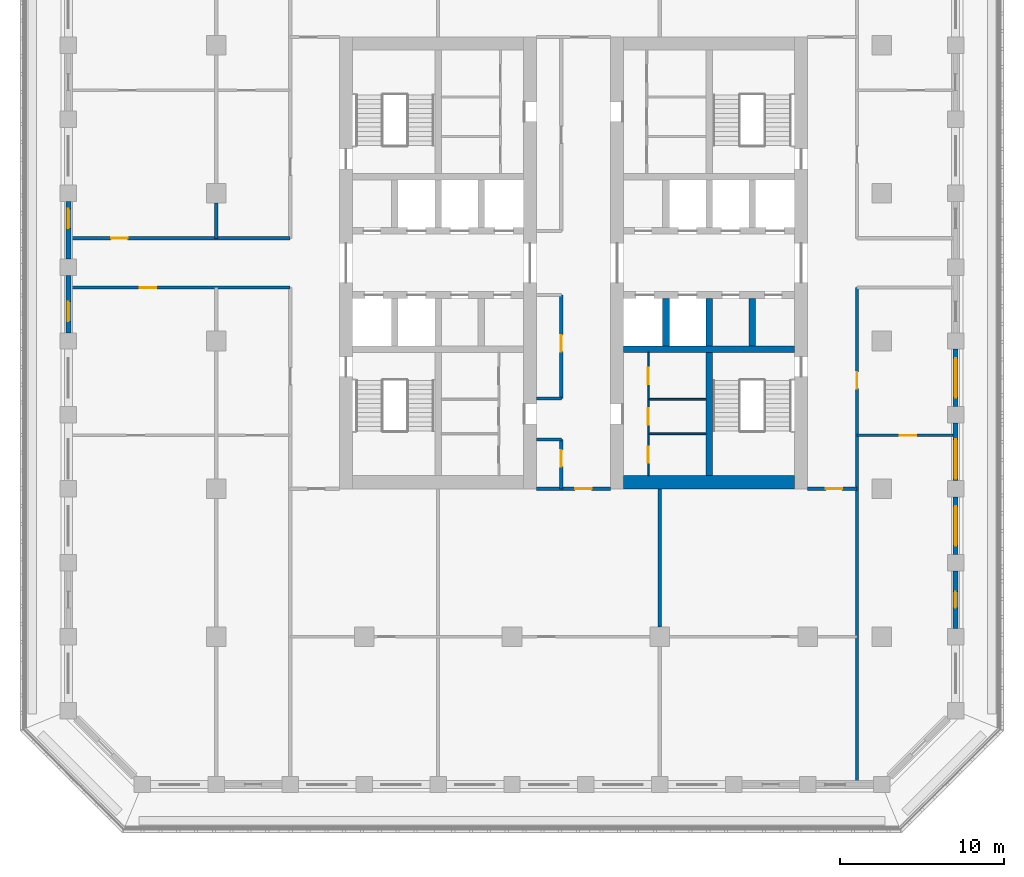
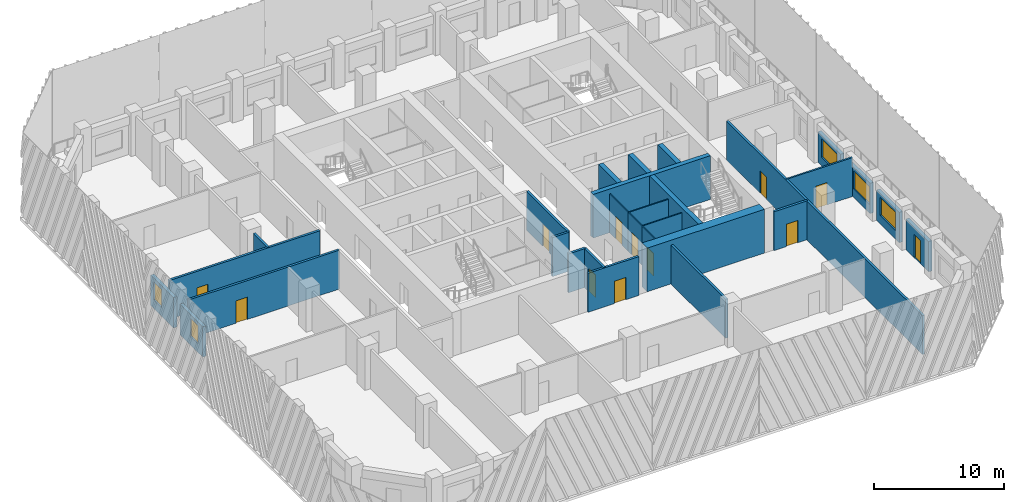
# One storey, part 4 of 16: 29 walls, 12 doors, 5 windows, 17 openings.
"""IFC4 building model written with IfcOpenShell, lengths in metres."""

from ifc_helpers import new_model, si_unit, direction, frame, frame_2d, origin, place, context, subcontext, project, spatial, rectangle, extrude, material, layer, layer_set, type_object, element, fill, save


model = new_model("IFC4")

# Units and contexts
model_context = context("Model", 3, precision=1e-05, world=origin(), true_north=direction((0.0, 1.0)))
body_context = subcontext(model_context, "Body", "Model", "MODEL_VIEW")
ifc_project = project(units=[si_unit("LENGTHUNIT", "METRE"), si_unit("AREAUNIT", "SQUARE_METRE"), si_unit("VOLUMEUNIT", "CUBIC_METRE"), si_unit("PLANEANGLEUNIT", "RADIAN"), si_unit("MASSUNIT", "GRAM", prefix="KILO")], contexts=[model_context])

# Site, building, storey
site_placement = place(None, origin())
site = spatial("IfcSite", under=ifc_project, at=site_placement, CompositionType="ELEMENT")
building_placement = place(site_placement, origin())
building = spatial("IfcBuilding", under=site, at=building_placement, Name="Corbel Stack Research Tower", CompositionType="ELEMENT")
storey_placement = place(building_placement, frame((0.0, 0.0, 165.0)))
storey = spatial("IfcBuildingStorey", under=building, at=storey_placement, Name="L37", CompositionType="ELEMENT", Elevation=165.0)

# Walls
ifc_material_1 = material(Name="Concrete C60/75", Category="concrete")
ifc_layer_1 = layer(ifc_material_1, 0.39990234375)
ifc_layer_set_1 = layer_set([ifc_layer_1], Name="Concrete C60/75")
wall_type_1 = type_object("IfcWallType", Name="CW-400-60", PredefinedType="SHEAR", material=ifc_layer_set_1)
wall_1_placement = place(storey_placement, frame((6.800048828125, -0.5, 0.0), z_axis=(0.0, 0.0, 1.0), x_axis=(1.0, 0.0, 0.0)))
element("IfcWall", 1, at=wall_1_placement, inside=storey, type_object=wall_type_1, Name="East core wall, south row back L37", PredefinedType="SHEAR", context=body_context, shape_type="SweptSolid", body=[
    extrude(rectangle(XDim=10.39990234375, YDim=0.39990234375, at=frame_2d((5.199951171875, 0.0))), origin(), (0.0, 0.0, 1.0), 4.10009765625),
])
for number, where, z_axis, x_axis, name in (
    (2, (9.375, -0.300048828125, 0.0), (0.0, 0.0, 1.0), (0.0, 1.0, 0.0), "East core wall, south shaft 1 L37"),
    (3, (12.0, -0.300048828125, 0.0), (0.0, 0.0, 1.0), (0.0, 1.0, 0.0), "East core wall, south shaft 2 L37"),
    (4, (14.625, -0.300048828125, 0.0), (0.0, 0.0, 1.0), (0.0, 1.0, 0.0), "East core wall, south shaft 3 L37"),
):
    element("IfcWall", number, at=place(storey_placement, frame(where, z_axis=z_axis, x_axis=x_axis)), inside=storey, type_object=wall_type_1, Name=name, PredefinedType="SHEAR", context=body_context, shape_type="SweptSolid", body=[
        extrude(rectangle(XDim=2.900146484375, YDim=0.39990234375, at=frame_2d((1.4501953125, 0.0))), origin(), (0.0, 0.0, 1.0), 4.10009765625),
    ])
wall_2_placement = place(storey_placement, frame((12.0, -8.199951171875, 0.0), z_axis=(0.0, 0.0, 1.0), x_axis=(0.0, 1.0, 0.0)))
element("IfcWall", 5, at=wall_2_placement, inside=storey, type_object=wall_type_1, Name="East core wall, south stair and WC L37", PredefinedType="SHEAR", context=body_context, shape_type="SweptSolid", body=[
    extrude(rectangle(XDim=7.5, YDim=0.39990234375, at=frame_2d((3.75, 0.0))), origin(), (0.0, 0.0, 1.0), 4.10009765625),
])
ifc_material_2 = material(Name="Concrete C60/75", Category="concrete")
ifc_layer_2 = layer(ifc_material_2, 0.800048828125)
ifc_layer_set_2 = layer_set([ifc_layer_2], Name="Concrete C60/75")
wall_type_2 = type_object("IfcWallType", Name="CW-800-60", PredefinedType="SHEAR", material=ifc_layer_set_2)
wall_3_placement = place(storey_placement, frame((6.800048828125, -8.60009765625, 0.0), z_axis=(0.0, 0.0, 1.0), x_axis=(1.0, 0.0, 0.0)))
element("IfcWall", 6, at=wall_3_placement, inside=storey, type_object=wall_type_2, Name="East core wall, south end L37", PredefinedType="SHEAR", context=body_context, shape_type="SweptSolid", body=[
    extrude(rectangle(XDim=10.39990234375, YDim=0.800048828125, at=frame_2d((5.199951171875, 0.0))), origin(), (0.0, 0.0, 1.0), 4.10009765625),
])

# Wall, opening, door
ifc_material_3 = material(Name="Gypsum board")
ifc_layer_3 = layer(ifc_material_3, 0.10009765625)
ifc_layer_set_3 = layer_set([ifc_layer_3], Name="Gypsum board")
wall_type_3 = type_object("IfcWallType", Name="Core partition 100", PredefinedType="PARTITIONING", material=ifc_layer_set_3)
wall_4_placement = place(storey_placement, frame((8.300048828125, -8.199951171875, 0.0), z_axis=(0.0, 0.0, 1.0), x_axis=(0.0, 1.0, 0.0)))
wall_4 = element("IfcWall", 7, at=wall_4_placement, inside=storey, type_object=wall_type_3, Name="Core partition E", PredefinedType="PARTITIONING", context=body_context, shape_type="SweptSolid", body=[
    extrude(rectangle(XDim=2.550048828125, YDim=0.10009765625, at=frame_2d((1.27490234375, 0.0))), origin(), (0.0, 0.0, 1.0), 3.64990234375),
])
opening_1_placement = place(wall_4_placement, frame((0.77490234375, 0.0, 0.0)))
opening_1 = element("IfcOpeningElement", 8, at=opening_1_placement, cuts=wall_4, Name="Opening CR-E12-W2-1000", PredefinedType="OPENING", context=body_context, shape_type="SweptSolid", body=[
    extrude(rectangle(XDim=1.0, YDim=2.10009765625, at=frame_2d((0.5, 1.050048828125))), frame((0.0, 0.06005859375, 0.0), z_axis=(0.0, -1.0, 0.0), x_axis=(1.0, 0.0, 0.0)), (0.0, 0.0, 1.0), 0.1201171875),
])
ifc_material_4 = material(Name="Painted timber door", Category="wood")
door_type_1 = type_object("IfcDoorType", Name="WC door 1000 x 2100 left hand", OperationType="SINGLE_SWING_LEFT", PredefinedType="DOOR", material=ifc_material_4)
door_1_placement = place(opening_1_placement, origin())
door_1 = element("IfcDoor", 9, at=door_1_placement, inside=storey, type_object=door_type_1, Name="Men's WC door E core", OperationType="SINGLE_SWING_LEFT", OverallHeight=2.10009765625, OverallWidth=1.0, PredefinedType="DOOR", context=body_context, shape_type="SweptSolid", body=[
    extrude(rectangle(XDim=1.0, YDim=2.10009765625, at=frame_2d((0.5, 1.050048828125))), frame((0.0, 0.02490234375, 0.0), z_axis=(0.0, -1.0, 0.0), x_axis=(1.0, 0.0, 0.0)), (0.0, 0.0, 1.0), 0.050048828125),
])
fill(opening_1, door_1)

wall_5_placement = place(storey_placement, frame((8.300048828125, -5.64990234375, 0.0), z_axis=(0.0, 0.0, 1.0), x_axis=(0.0, 1.0, 0.0)))
wall_5 = element("IfcWall", 10, at=wall_5_placement, inside=storey, type_object=wall_type_3, Name="Core partition E", PredefinedType="PARTITIONING", context=body_context, shape_type="SweptSolid", body=[
    extrude(rectangle(XDim=2.099853515625, YDim=0.10009765625, at=frame_2d((1.0498046875, 0.0))), origin(), (0.0, 0.0, 1.0), 3.64990234375),
])
opening_2_placement = place(wall_5_placement, frame((0.550048828125, 0.0, 0.0)))
opening_2 = element("IfcOpeningElement", 11, at=opening_2_placement, cuts=wall_5, Name="Opening CR-E12-W3-1000", PredefinedType="OPENING", context=body_context, shape_type="SweptSolid", body=[
    extrude(rectangle(XDim=1.0, YDim=2.10009765625, at=frame_2d((0.5, 1.050048828125))), frame((0.0, 0.06005859375, 0.0), z_axis=(0.0, -1.0, 0.0), x_axis=(1.0, 0.0, 0.0)), (0.0, 0.0, 1.0), 0.1201171875),
])
ifc_material_5 = material(Name="Painted timber door", Category="wood")
door_type_2 = type_object("IfcDoorType", Name="WC door 1000 x 2100 right hand", OperationType="SINGLE_SWING_RIGHT", PredefinedType="DOOR", material=ifc_material_5)
door_2_placement = place(opening_2_placement, origin())
door_2 = element("IfcDoor", 12, at=door_2_placement, inside=storey, type_object=door_type_2, Name="Accessible WC door E core", OperationType="SINGLE_SWING_RIGHT", OverallHeight=2.10009765625, OverallWidth=1.0, PredefinedType="DOOR", context=body_context, shape_type="SweptSolid", body=[
    extrude(rectangle(XDim=1.0, YDim=2.10009765625, at=frame_2d((0.5, 1.050048828125))), frame((0.0, 0.02490234375, 0.0), z_axis=(0.0, -1.0, 0.0), x_axis=(1.0, 0.0, 0.0)), (0.0, 0.0, 1.0), 0.050048828125),
])
fill(opening_2, door_2)

wall_6_placement = place(storey_placement, frame((8.300048828125, -3.550048828125, 0.0), z_axis=(0.0, 0.0, 1.0), x_axis=(0.0, 1.0, 0.0)))
wall_6 = element("IfcWall", 13, at=wall_6_placement, inside=storey, type_object=wall_type_3, Name="Core partition E", PredefinedType="PARTITIONING", context=body_context, shape_type="SweptSolid", body=[
    extrude(rectangle(XDim=2.85009765625, YDim=0.10009765625, at=frame_2d((1.425048828125, 0.0))), origin(), (0.0, 0.0, 1.0), 3.64990234375),
])
opening_3_placement = place(wall_6_placement, frame((0.925048828125, 0.0, 0.0)))
opening_3 = element("IfcOpeningElement", 14, at=opening_3_placement, cuts=wall_6, Name="Opening CR-E12-W4-1000", PredefinedType="OPENING", context=body_context, shape_type="SweptSolid", body=[
    extrude(rectangle(XDim=1.0, YDim=2.10009765625, at=frame_2d((0.5, 1.050048828125))), frame((0.0, 0.06005859375, 0.0), z_axis=(0.0, -1.0, 0.0), x_axis=(1.0, 0.0, 0.0)), (0.0, 0.0, 1.0), 0.1201171875),
])
door_3_placement = place(opening_3_placement, origin())
door_3 = element("IfcDoor", 15, at=door_3_placement, inside=storey, type_object=door_type_1, Name="Women's WC door E core", OperationType="SINGLE_SWING_LEFT", OverallHeight=2.10009765625, OverallWidth=1.0, PredefinedType="DOOR", context=body_context, shape_type="SweptSolid", body=[
    extrude(rectangle(XDim=1.0, YDim=2.10009765625, at=frame_2d((0.5, 1.050048828125))), frame((0.0, 0.02490234375, 0.0), z_axis=(0.0, -1.0, 0.0), x_axis=(1.0, 0.0, 0.0)), (0.0, 0.0, 1.0), 0.050048828125),
])
fill(opening_3, door_3)

# Walls
for number, where, z_axis, x_axis, name in (
    (16, (8.300048828125, -5.64990234375, 0.0), (0.0, 0.0, 1.0), (1.0, 0.0, 0.0), "Core partition E"),
    (17, (8.300048828125, -3.550048828125, 0.0), (0.0, 0.0, 1.0), (1.0, 0.0, 0.0), "Core partition E"),
):
    element("IfcWall", number, at=place(storey_placement, frame(where, z_axis=z_axis, x_axis=x_axis)), inside=storey, type_object=wall_type_3, Name=name, PredefinedType="PARTITIONING", context=body_context, shape_type="SweptSolid", body=[
        extrude(rectangle(XDim=3.5, YDim=0.10009765625, at=frame_2d((1.75, 0.0))), origin(), (0.0, 0.0, 1.0), 3.64990234375),
    ])
ifc_material_6 = material(Name="Fire-rated gypsum board partition on steel studs", Category="steel")
ifc_layer_4 = layer(ifc_material_6, 0.199951171875)
ifc_layer_set_4 = layer_set([ifc_layer_4], Name="Fire-rated gypsum board partition on steel studs")
wall_type_4 = type_object("IfcWallType", Name="Fire-rated partition 200 EI 60", PredefinedType="PARTITIONING", material=ifc_layer_set_4)
wall_7_placement = place(storey_placement, frame((-18.0, 6.25, 0.0), z_axis=(0.0, 0.0, 1.0), x_axis=(0.0, 1.0, 0.0)))
element("IfcWall", 18, at=wall_7_placement, inside=storey, type_object=wall_type_4, Name="Partition L37-005", PredefinedType="PARTITIONING", context=body_context, shape_type="SweptSolid", body=[
    extrude(rectangle(XDim=2.14990234375, YDim=0.199951171875, at=frame_2d((1.074951171875, 0.0))), origin(), (0.0, 0.0, 1.0), 3.64990234375),
])

# Wall, opening, door
wall_8_placement = place(storey_placement, frame((3.0, -9.0, 0.0), z_axis=(0.0, 0.0, 1.0), x_axis=(0.0, 1.0, 0.0)))
wall_8 = element("IfcWall", 19, at=wall_8_placement, inside=storey, type_object=wall_type_4, Name="Partition L37-013", PredefinedType="PARTITIONING", context=body_context, shape_type="SweptSolid", body=[
    extrude(rectangle(XDim=3.0, YDim=0.199951171875, at=frame_2d((1.5, 0.0))), origin(), (0.0, 0.0, 1.0), 3.64990234375),
])
opening_4_placement = place(wall_8_placement, frame((1.35009765625, 0.0, 0.0)))
opening_4 = element("IfcOpeningElement", 20, at=opening_4_placement, cuts=wall_8, Name="Opening B5V1-012", PredefinedType="OPENING", context=body_context, shape_type="SweptSolid", body=[
    extrude(rectangle(XDim=1.0, YDim=2.10009765625, at=frame_2d((0.5, 1.050048828125))), frame((0.0, 0.10986328125, 0.0), z_axis=(0.0, -1.0, 0.0), x_axis=(1.0, 0.0, 0.0)), (0.0, 0.0, 1.0), 0.219970703125),
])
ifc_material_7 = material(Name="Painted steel fire door", Category="steel")
door_type_3 = type_object("IfcDoorType", Name="Fire door FD30S 1000 x 2100", OperationType="NOTDEFINED", PredefinedType="DOOR", material=ifc_material_7)
door_4_placement = place(opening_4_placement, origin())
door_4 = element("IfcDoor", 21, at=door_4_placement, inside=storey, type_object=door_type_3, Name="Door B5V1-012", OperationType="SINGLE_SWING_RIGHT", OverallHeight=2.10009765625, OverallWidth=1.0, PredefinedType="DOOR", context=body_context, shape_type="SweptSolid", body=[
    extrude(rectangle(XDim=1.0, YDim=2.10009765625, at=frame_2d((0.5, 1.050048828125))), frame((0.0, 0.02490234375, 0.0), z_axis=(0.0, -1.0, 0.0), x_axis=(1.0, 0.0, 0.0)), (0.0, 0.0, 1.0), 0.050048828125),
])
fill(opening_4, door_4)

wall_9_placement = place(storey_placement, frame((3.0, -3.5, 0.0), z_axis=(0.0, 0.0, 1.0), x_axis=(0.0, 1.0, 0.0)))
wall_9 = element("IfcWall", 22, at=wall_9_placement, inside=storey, type_object=wall_type_4, Name="Partition L37-014", PredefinedType="PARTITIONING", context=body_context, shape_type="SweptSolid", body=[
    extrude(rectangle(XDim=6.300048828125, YDim=0.199951171875, at=frame_2d((3.14990234375, 0.0))), origin(), (0.0, 0.0, 1.0), 3.64990234375),
])
opening_5_placement = place(wall_9_placement, frame((2.85009765625, 0.0, 0.0)))
opening_5 = element("IfcOpeningElement", 23, at=opening_5_placement, cuts=wall_9, Name="Opening B5V1-013", PredefinedType="OPENING", context=body_context, shape_type="SweptSolid", body=[
    extrude(rectangle(XDim=1.0, YDim=2.10009765625, at=frame_2d((0.5, 1.050048828125))), frame((0.0, 0.10986328125, 0.0), z_axis=(0.0, -1.0, 0.0), x_axis=(1.0, 0.0, 0.0)), (0.0, 0.0, 1.0), 0.219970703125),
])
door_5_placement = place(opening_5_placement, origin())
door_5 = element("IfcDoor", 24, at=door_5_placement, inside=storey, type_object=door_type_3, Name="Door B5V1-013", OperationType="SINGLE_SWING_RIGHT", OverallHeight=2.10009765625, OverallWidth=1.0, PredefinedType="DOOR", context=body_context, shape_type="SweptSolid", body=[
    extrude(rectangle(XDim=1.0, YDim=2.10009765625, at=frame_2d((0.5, 1.050048828125))), frame((0.0, 0.02490234375, 0.0), z_axis=(0.0, -1.0, 0.0), x_axis=(1.0, 0.0, 0.0)), (0.0, 0.0, 1.0), 0.050048828125),
])
fill(opening_5, door_5)

# Wall
wall_10_placement = place(storey_placement, frame((9.0, -17.39990234375, 0.0), z_axis=(0.0, 0.0, 1.0), x_axis=(0.0, 1.0, 0.0)))
element("IfcWall", 25, at=wall_10_placement, inside=storey, type_object=wall_type_4, Name="Partition L37-017", PredefinedType="PARTITIONING", context=body_context, shape_type="SweptSolid", body=[
    extrude(rectangle(XDim=8.39990234375, YDim=0.199951171875, at=frame_2d((4.199951171875, 0.0))), origin(), (0.0, 0.0, 1.0), 3.64990234375),
])

# Wall, opening, door
wall_11_placement = place(storey_placement, frame((21.0, 3.25, 0.0), z_axis=(0.0, 0.0, 1.0), x_axis=(0.0, -1.0, 0.0)))
wall_11 = element("IfcWall", 26, at=wall_11_placement, inside=storey, type_object=wall_type_4, Name="Partition L37-020", PredefinedType="PARTITIONING", context=body_context, shape_type="SweptSolid", body=[
    extrude(rectangle(XDim=30.10009765625, YDim=0.199951171875, at=frame_2d((15.050048828125, 0.0))), origin(), (0.0, 0.0, 1.0), 3.64990234375),
])
opening_6_placement = place(wall_11_placement, frame((5.14990234375, 0.0, 0.0)))
opening_6 = element("IfcOpeningElement", 27, at=opening_6_placement, cuts=wall_11, Name="Opening B5V1-023", PredefinedType="OPENING", context=body_context, shape_type="SweptSolid", body=[
    extrude(rectangle(XDim=1.0, YDim=2.10009765625, at=frame_2d((0.5, 1.050048828125))), frame((0.0, 0.10986328125, 0.0), z_axis=(0.0, -1.0, 0.0), x_axis=(1.0, 0.0, 0.0)), (0.0, 0.0, 1.0), 0.219970703125),
])
door_6_placement = place(opening_6_placement, origin())
door_6 = element("IfcDoor", 28, at=door_6_placement, inside=storey, type_object=door_type_3, Name="Door B5V1-023", OperationType="SINGLE_SWING_LEFT", OverallHeight=2.10009765625, OverallWidth=1.0, PredefinedType="DOOR", context=body_context, shape_type="SweptSolid", body=[
    extrude(rectangle(XDim=1.0, YDim=2.10009765625, at=frame_2d((0.5, 1.050048828125))), frame((0.0, 0.02490234375, 0.0), z_axis=(0.0, -1.0, 0.0), x_axis=(1.0, 0.0, 0.0)), (0.0, 0.0, 1.0), 0.050048828125),
])
fill(opening_6, door_6)

wall_12_placement = place(storey_placement, frame((6.0, -9.0, 0.0), z_axis=(0.0, 0.0, 1.0), x_axis=(-1.0, 0.0, 0.0)))
wall_12 = element("IfcWall", 29, at=wall_12_placement, inside=storey, type_object=wall_type_4, Name="Partition L37-028", PredefinedType="PARTITIONING", context=body_context, shape_type="SweptSolid", body=[
    extrude(rectangle(XDim=4.5, YDim=0.199951171875, at=frame_2d((2.25, 0.0))), origin(), (0.0, 0.0, 1.0), 3.64990234375),
])
opening_7_placement = place(wall_12_placement, frame((1.14990234375, 0.0, 0.0)))
opening_7 = element("IfcOpeningElement", 30, at=opening_7_placement, cuts=wall_12, Name="Opening B5V1-007", PredefinedType="OPENING", context=body_context, shape_type="SweptSolid", body=[
    extrude(rectangle(XDim=1.0, YDim=2.10009765625, at=frame_2d((0.5, 1.050048828125))), frame((0.0, 0.10986328125, 0.0), z_axis=(0.0, -1.0, 0.0), x_axis=(1.0, 0.0, 0.0)), (0.0, 0.0, 1.0), 0.219970703125),
])
door_7_placement = place(opening_7_placement, origin())
door_7 = element("IfcDoor", 31, at=door_7_placement, inside=storey, type_object=door_type_3, Name="Door B5V1-007", OperationType="SINGLE_SWING_LEFT", OverallHeight=2.10009765625, OverallWidth=1.0, PredefinedType="DOOR", context=body_context, shape_type="SweptSolid", body=[
    extrude(rectangle(XDim=1.0, YDim=2.10009765625, at=frame_2d((0.5, 1.050048828125))), frame((0.0, 0.02490234375, 0.0), z_axis=(0.0, -1.0, 0.0), x_axis=(1.0, 0.0, 0.0)), (0.0, 0.0, 1.0), 0.050048828125),
])
fill(opening_7, door_7)

wall_13_placement = place(storey_placement, frame((21.0, -9.0, 0.0), z_axis=(0.0, 0.0, 1.0), x_axis=(-1.0, 0.0, 0.0)))
wall_13 = element("IfcWall", 32, at=wall_13_placement, inside=storey, type_object=wall_type_4, Name="Partition L37-029", PredefinedType="PARTITIONING", context=body_context, shape_type="SweptSolid", body=[
    extrude(rectangle(XDim=3.0, YDim=0.199951171875, at=frame_2d((1.5, 0.0))), origin(), (0.0, 0.0, 1.0), 3.64990234375),
])
opening_8_placement = place(wall_13_placement, frame((0.89990234375, 0.0, 0.0)))
opening_8 = element("IfcOpeningElement", 33, at=opening_8_placement, cuts=wall_13, Name="Opening B5V1-008", PredefinedType="OPENING", context=body_context, shape_type="SweptSolid", body=[
    extrude(rectangle(XDim=1.0, YDim=2.10009765625, at=frame_2d((0.5, 1.050048828125))), frame((0.0, 0.10986328125, 0.0), z_axis=(0.0, -1.0, 0.0), x_axis=(1.0, 0.0, 0.0)), (0.0, 0.0, 1.0), 0.219970703125),
])
door_8_placement = place(opening_8_placement, origin())
door_8 = element("IfcDoor", 34, at=door_8_placement, inside=storey, type_object=door_type_3, Name="Door B5V1-008", OperationType="SINGLE_SWING_LEFT", OverallHeight=2.10009765625, OverallWidth=1.0, PredefinedType="DOOR", context=body_context, shape_type="SweptSolid", body=[
    extrude(rectangle(XDim=1.0, YDim=2.10009765625, at=frame_2d((0.5, 1.050048828125))), frame((0.0, 0.02490234375, 0.0), z_axis=(0.0, -1.0, 0.0), x_axis=(1.0, 0.0, 0.0)), (0.0, 0.0, 1.0), 0.050048828125),
])
fill(opening_8, door_8)

# Walls
for number, where, z_axis, x_axis, name in (
    (35, (1.5, -6.0, 0.0), (0.0, 0.0, 1.0), (1.0, 0.0, 0.0), "Partition L37-030"),
    (36, (1.5, -3.5, 0.0), (0.0, 0.0, 1.0), (1.0, 0.0, 0.0), "Partition L37-033"),
):
    element("IfcWall", number, at=place(storey_placement, frame(where, z_axis=z_axis, x_axis=x_axis)), inside=storey, type_object=wall_type_4, Name=name, PredefinedType="PARTITIONING", context=body_context, shape_type="SweptSolid", body=[
        extrude(rectangle(XDim=1.5, YDim=0.199951171875, at=frame_2d((0.75, 0.0))), origin(), (0.0, 0.0, 1.0), 3.64990234375),
    ])

# Wall, opening, door
wall_14_placement = place(storey_placement, frame((-13.5, 3.25, 0.0), z_axis=(0.0, 0.0, 1.0), x_axis=(-1.0, 0.0, 0.0)))
wall_14 = element("IfcWall", 37, at=wall_14_placement, inside=storey, type_object=wall_type_4, Name="Partition L37-035", PredefinedType="PARTITIONING", context=body_context, shape_type="SweptSolid", body=[
    extrude(rectangle(XDim=13.35009765625, YDim=0.199951171875, at=frame_2d((6.675048828125, 0.0))), origin(), (0.0, 0.0, 1.0), 3.64990234375),
])
opening_9_placement = place(wall_14_placement, frame((8.14990234375, 0.0, 0.0)))
opening_9 = element("IfcOpeningElement", 38, at=opening_9_placement, cuts=wall_14, Name="Opening B5V1-015", PredefinedType="OPENING", context=body_context, shape_type="SweptSolid", body=[
    extrude(rectangle(XDim=1.0, YDim=2.10009765625, at=frame_2d((0.5, 1.050048828125))), frame((0.0, 0.10986328125, 0.0), z_axis=(0.0, -1.0, 0.0), x_axis=(1.0, 0.0, 0.0)), (0.0, 0.0, 1.0), 0.219970703125),
])
door_9_placement = place(opening_9_placement, origin())
door_9 = element("IfcDoor", 39, at=door_9_placement, inside=storey, type_object=door_type_3, Name="Door B5V1-015", OperationType="SINGLE_SWING_RIGHT", OverallHeight=2.10009765625, OverallWidth=1.0, PredefinedType="DOOR", context=body_context, shape_type="SweptSolid", body=[
    extrude(rectangle(XDim=1.0, YDim=2.10009765625, at=frame_2d((0.5, 1.050048828125))), frame((0.0, 0.02490234375, 0.0), z_axis=(0.0, -1.0, 0.0), x_axis=(1.0, 0.0, 0.0)), (0.0, 0.0, 1.0), 0.050048828125),
])
fill(opening_9, door_9)

wall_15_placement = place(storey_placement, frame((-26.85009765625, 6.25, 0.0), z_axis=(0.0, 0.0, 1.0), x_axis=(1.0, 0.0, 0.0)))
wall_15 = element("IfcWall", 40, at=wall_15_placement, inside=storey, type_object=wall_type_4, Name="Partition L37-037", PredefinedType="PARTITIONING", context=body_context, shape_type="SweptSolid", body=[
    extrude(rectangle(XDim=13.35009765625, YDim=0.199951171875, at=frame_2d((6.675048828125, 0.0))), origin(), (0.0, 0.0, 1.0), 3.64990234375),
])
opening_10_placement = place(wall_15_placement, frame((2.449951171875, 0.0, 0.0)))
opening_10 = element("IfcOpeningElement", 41, at=opening_10_placement, cuts=wall_15, Name="Opening B5V1-016", PredefinedType="OPENING", context=body_context, shape_type="SweptSolid", body=[
    extrude(rectangle(XDim=1.0, YDim=2.10009765625, at=frame_2d((0.5, 1.050048828125))), frame((0.0, 0.10986328125, 0.0), z_axis=(0.0, -1.0, 0.0), x_axis=(1.0, 0.0, 0.0)), (0.0, 0.0, 1.0), 0.219970703125),
])
door_10_placement = place(opening_10_placement, origin())
door_10 = element("IfcDoor", 42, at=door_10_placement, inside=storey, type_object=door_type_3, Name="Door B5V1-016", OperationType="SINGLE_SWING_LEFT", OverallHeight=2.10009765625, OverallWidth=1.0, PredefinedType="DOOR", context=body_context, shape_type="SweptSolid", body=[
    extrude(rectangle(XDim=1.0, YDim=2.10009765625, at=frame_2d((0.5, 1.050048828125))), frame((0.0, 0.02490234375, 0.0), z_axis=(0.0, -1.0, 0.0), x_axis=(1.0, 0.0, 0.0)), (0.0, 0.0, 1.0), 0.050048828125),
])
fill(opening_10, door_10)

ifc_material_8 = material(Name="Gypsum board partition on steel studs", Category="steel")
ifc_layer_5 = layer(ifc_material_8, 0.14990234375)
ifc_layer_set_5 = layer_set([ifc_layer_5], Name="Gypsum board partition on steel studs")
wall_type_5 = type_object("IfcWallType", Name="Partition 150", PredefinedType="PARTITIONING", material=ifc_layer_set_5)
wall_16_placement = place(storey_placement, frame((26.85009765625, -5.75, 0.0), z_axis=(0.0, 0.0, 1.0), x_axis=(-1.0, 0.0, 0.0)))
wall_16 = element("IfcWall", 43, at=wall_16_placement, inside=storey, type_object=wall_type_5, Name="Partition L37-032", PredefinedType="PARTITIONING", context=body_context, shape_type="SweptSolid", body=[
    extrude(rectangle(XDim=5.85009765625, YDim=0.14990234375, at=frame_2d((2.925048828125, 0.0))), origin(), (0.0, 0.0, 1.0), 3.64990234375),
])
opening_11_placement = place(wall_16_placement, frame((2.25, 0.0, 0.0)))
opening_11 = element("IfcOpeningElement", 44, at=opening_11_placement, cuts=wall_16, Name="Opening B5V1-011", PredefinedType="OPENING", context=body_context, shape_type="SweptSolid", body=[
    extrude(rectangle(XDim=1.0, YDim=2.10009765625, at=frame_2d((0.5, 1.050048828125))), frame((0.0, 0.0849609375, 0.0), z_axis=(0.0, -1.0, 0.0), x_axis=(1.0, 0.0, 0.0)), (0.0, 0.0, 1.0), 0.169921875),
])
ifc_material_9 = material(Name="Painted timber door", Category="wood")
door_type_4 = type_object("IfcDoorType", Name="Single door 1000 x 2100", OperationType="NOTDEFINED", PredefinedType="DOOR", material=ifc_material_9)
door_11_placement = place(opening_11_placement, origin())
door_11 = element("IfcDoor", 45, at=door_11_placement, inside=storey, type_object=door_type_4, Name="Door B5V1-011", OperationType="SINGLE_SWING_LEFT", OverallHeight=2.10009765625, OverallWidth=1.0, PredefinedType="DOOR", context=body_context, shape_type="SweptSolid", body=[
    extrude(rectangle(XDim=1.0, YDim=2.10009765625, at=frame_2d((0.5, 1.050048828125))), frame((0.0, 0.02490234375, 0.0), z_axis=(0.0, -1.0, 0.0), x_axis=(1.0, 0.0, 0.0)), (0.0, 0.0, 1.0), 0.050048828125),
])
fill(opening_11, door_11)

ifc_material_10 = material(Name="Concrete C45/55", Category="concrete")
ifc_layer_6 = layer(ifc_material_10, 0.300048828125)
ifc_layer_set_6 = layer_set([ifc_layer_6], Name="Concrete C45/55")
wall_type_6 = type_object("IfcWallType", Name="Terracotta-faced concrete wall 300", PredefinedType="SOLIDWALL", material=ifc_layer_set_6)
wall_17_placement = place(storey_placement, frame((27.0, -14.0, 0.0), z_axis=(0.0, 0.0, 1.0), x_axis=(0.0, -1.0, 0.0)))
wall_17 = element("IfcWall", 46, at=wall_17_placement, inside=storey, type_object=wall_type_6, Name="Facade wall L37 E02", PredefinedType="SOLIDWALL", context=body_context, shape_type="SweptSolid", body=[
    extrude(rectangle(XDim=3.5, YDim=0.300048828125, at=frame_2d((1.75, 0.0))), origin(), (0.0, 0.0, 1.0), 2.85009765625),
])
opening_12_placement = place(wall_17_placement, frame((1.25, 0.0, 0.0)))
opening_12 = element("IfcOpeningElement", 47, at=opening_12_placement, cuts=wall_17, Name="Opening L37-B04", PredefinedType="OPENING", context=body_context, shape_type="SweptSolid", body=[
    extrude(rectangle(XDim=1.0, YDim=2.199951171875, at=frame_2d((0.5, 1.10009765625))), frame((0.0, 0.159912109375, 0.0), z_axis=(0.0, -1.0, 0.0), x_axis=(1.0, 0.0, 0.0)), (0.0, 0.0, 1.0), 0.320068359375),
])
ifc_material_11 = material(Name="Aluminium frame, clear double glazing", Category="aluminium")
door_type_5 = type_object("IfcDoorType", Name="Balcony door BD1 1000 x 2200", OperationType="NOTDEFINED", PredefinedType="DOOR", material=ifc_material_11)
door_12_placement = place(opening_12_placement, origin())
door_12 = element("IfcDoor", 48, at=door_12_placement, inside=storey, type_object=door_type_5, Name="Balcony door L37-B04", OperationType="SINGLE_SWING_LEFT", OverallHeight=2.199951171875, OverallWidth=1.0, PredefinedType="DOOR", context=body_context, shape_type="SweptSolid", body=[
    extrude(rectangle(XDim=1.0, YDim=2.199951171875, at=frame_2d((0.5, 1.10009765625))), frame((0.0, 0.02490234375, 0.0), z_axis=(0.0, -1.0, 0.0), x_axis=(1.0, 0.0, 0.0)), (0.0, 0.0, 1.0), 0.050048828125),
])
fill(opening_12, door_12)

# Wall, opening, window
wall_18_placement = place(storey_placement, frame((27.0, -9.5, 0.0), z_axis=(0.0, 0.0, 1.0), x_axis=(0.0, -1.0, 0.0)))
wall_18 = element("IfcWall", 49, at=wall_18_placement, inside=storey, type_object=wall_type_6, Name="Facade wall L37 E03", PredefinedType="SOLIDWALL", context=body_context, shape_type="SweptSolid", body=[
    extrude(rectangle(XDim=3.5, YDim=0.300048828125, at=frame_2d((1.75, 0.0))), origin(), (0.0, 0.0, 1.0), 2.85009765625),
])
opening_13_placement = place(wall_18_placement, frame((0.550048828125, 0.0, 0.800048828125)))
opening_13 = element("IfcOpeningElement", 50, at=opening_13_placement, cuts=wall_18, Name="Opening W1", PredefinedType="OPENING", context=body_context, shape_type="SweptSolid", body=[
    extrude(rectangle(XDim=2.39990234375, YDim=1.699951171875, at=frame_2d((1.199951171875, 0.85009765625))), frame((0.0, 0.159912109375, 0.0), z_axis=(0.0, -1.0, 0.0), x_axis=(1.0, 0.0, 0.0)), (0.0, 0.0, 1.0), 0.320068359375),
])
ifc_material_12 = material(Name="Aluminium frame, clear double glazing", Category="aluminium")
window_type_1 = type_object("IfcWindowType", Name="Window W1 2400 x 1700", PartitioningType="SINGLE_PANEL", PredefinedType="WINDOW", material=ifc_material_12)
window_1_placement = place(opening_13_placement, origin())
window_1 = element("IfcWindow", 51, at=window_1_placement, inside=storey, type_object=window_type_1, Name="Window W1 L37 E03", OverallHeight=1.699951171875, OverallWidth=2.39990234375, PartitioningType="SINGLE_PANEL", PredefinedType="WINDOW", context=body_context, shape_type="SweptSolid", body=[
    extrude(rectangle(XDim=2.39990234375, YDim=1.699951171875, at=frame_2d((1.199951171875, 0.85009765625))), frame((0.0, 0.030029296875, 0.0), z_axis=(0.0, -1.0, 0.0), x_axis=(1.0, 0.0, 0.0)), (0.0, 0.0, 1.0), 0.06005859375),
])
fill(opening_13, window_1)

wall_19_placement = place(storey_placement, frame((27.0, -5.0, 0.0), z_axis=(0.0, 0.0, 1.0), x_axis=(0.0, -1.0, 0.0)))
wall_19 = element("IfcWall", 52, at=wall_19_placement, inside=storey, type_object=wall_type_6, Name="Facade wall L37 E04", PredefinedType="SOLIDWALL", context=body_context, shape_type="SweptSolid", body=[
    extrude(rectangle(XDim=3.5, YDim=0.300048828125, at=frame_2d((1.75, 0.0))), origin(), (0.0, 0.0, 1.0), 2.85009765625),
])
opening_14_placement = place(wall_19_placement, frame((0.987548828125, 0.0, 0.800048828125)))
opening_14 = element("IfcOpeningElement", 53, at=opening_14_placement, cuts=wall_19, Name="Opening W1", PredefinedType="OPENING", context=body_context, shape_type="SweptSolid", body=[
    extrude(rectangle(XDim=2.39990234375, YDim=1.699951171875, at=frame_2d((1.199951171875, 0.85009765625))), frame((0.0, 0.159912109375, 0.0), z_axis=(0.0, -1.0, 0.0), x_axis=(1.0, 0.0, 0.0)), (0.0, 0.0, 1.0), 0.320068359375),
])
window_2_placement = place(opening_14_placement, origin())
window_2 = element("IfcWindow", 54, at=window_2_placement, inside=storey, type_object=window_type_1, Name="Window W1 L37 E04", OverallHeight=1.699951171875, OverallWidth=2.39990234375, PartitioningType="SINGLE_PANEL", PredefinedType="WINDOW", context=body_context, shape_type="SweptSolid", body=[
    extrude(rectangle(XDim=2.39990234375, YDim=1.699951171875, at=frame_2d((1.199951171875, 0.85009765625))), frame((0.0, 0.030029296875, 0.0), z_axis=(0.0, -1.0, 0.0), x_axis=(1.0, 0.0, 0.0)), (0.0, 0.0, 1.0), 0.06005859375),
])
fill(opening_14, window_2)

wall_20_placement = place(storey_placement, frame((27.0, -0.5, 0.0), z_axis=(0.0, 0.0, 1.0), x_axis=(0.0, -1.0, 0.0)))
wall_20 = element("IfcWall", 55, at=wall_20_placement, inside=storey, type_object=wall_type_6, Name="Facade wall L37 E05", PredefinedType="SOLIDWALL", context=body_context, shape_type="SweptSolid", body=[
    extrude(rectangle(XDim=3.5, YDim=0.300048828125, at=frame_2d((1.75, 0.0))), origin(), (0.0, 0.0, 1.0), 2.85009765625),
])
opening_15_placement = place(wall_20_placement, frame((0.550048828125, 0.0, 0.800048828125)))
opening_15 = element("IfcOpeningElement", 56, at=opening_15_placement, cuts=wall_20, Name="Opening W1", PredefinedType="OPENING", context=body_context, shape_type="SweptSolid", body=[
    extrude(rectangle(XDim=2.39990234375, YDim=1.699951171875, at=frame_2d((1.199951171875, 0.85009765625))), frame((0.0, 0.159912109375, 0.0), z_axis=(0.0, -1.0, 0.0), x_axis=(1.0, 0.0, 0.0)), (0.0, 0.0, 1.0), 0.320068359375),
])
window_3_placement = place(opening_15_placement, origin())
window_3 = element("IfcWindow", 57, at=window_3_placement, inside=storey, type_object=window_type_1, Name="Window W1 L37 E05", OverallHeight=1.699951171875, OverallWidth=2.39990234375, PartitioningType="SINGLE_PANEL", PredefinedType="WINDOW", context=body_context, shape_type="SweptSolid", body=[
    extrude(rectangle(XDim=2.39990234375, YDim=1.699951171875, at=frame_2d((1.199951171875, 0.85009765625))), frame((0.0, 0.030029296875, 0.0), z_axis=(0.0, -1.0, 0.0), x_axis=(1.0, 0.0, 0.0)), (0.0, 0.0, 1.0), 0.06005859375),
])
fill(opening_15, window_3)

wall_21_placement = place(storey_placement, frame((-27.0, 5.0, 0.0), z_axis=(0.0, 0.0, 1.0), x_axis=(0.0, 1.0, 0.0)))
wall_21 = element("IfcWall", 58, at=wall_21_placement, inside=storey, type_object=wall_type_6, Name="Facade wall L37 W04", PredefinedType="SOLIDWALL", context=body_context, shape_type="SweptSolid", body=[
    extrude(rectangle(XDim=3.5, YDim=0.300048828125, at=frame_2d((1.75, 0.0))), origin(), (0.0, 0.0, 1.0), 2.85009765625),
])
opening_16_placement = place(wall_21_placement, frame((1.85009765625, 0.0, 0.800048828125)))
opening_16 = element("IfcOpeningElement", 59, at=opening_16_placement, cuts=wall_21, Name="Opening W2", PredefinedType="OPENING", context=body_context, shape_type="SweptSolid", body=[
    extrude(rectangle(XDim=1.199951171875, YDim=1.699951171875, at=frame_2d((0.60009765625, 0.85009765625))), frame((0.0, 0.159912109375, 0.0), z_axis=(0.0, -1.0, 0.0), x_axis=(1.0, 0.0, 0.0)), (0.0, 0.0, 1.0), 0.320068359375),
])
ifc_material_13 = material(Name="Aluminium frame, clear double glazing", Category="aluminium")
window_type_2 = type_object("IfcWindowType", Name="Window W2 1200 x 1700", PartitioningType="SINGLE_PANEL", PredefinedType="WINDOW", material=ifc_material_13)
window_4_placement = place(opening_16_placement, origin())
window_4 = element("IfcWindow", 60, at=window_4_placement, inside=storey, type_object=window_type_2, Name="Window W2 L37 W04", OverallHeight=1.699951171875, OverallWidth=1.199951171875, PartitioningType="SINGLE_PANEL", PredefinedType="WINDOW", context=body_context, shape_type="SweptSolid", body=[
    extrude(rectangle(XDim=1.199951171875, YDim=1.699951171875, at=frame_2d((0.60009765625, 0.85009765625))), frame((0.0, 0.030029296875, 0.0), z_axis=(0.0, -1.0, 0.0), x_axis=(1.0, 0.0, 0.0)), (0.0, 0.0, 1.0), 0.06005859375),
])
fill(opening_16, window_4)

wall_22_placement = place(storey_placement, frame((-27.0, 0.5, 0.0), z_axis=(0.0, 0.0, 1.0), x_axis=(0.0, 1.0, 0.0)))
wall_22 = element("IfcWall", 61, at=wall_22_placement, inside=storey, type_object=wall_type_6, Name="Facade wall L37 W05", PredefinedType="SOLIDWALL", context=body_context, shape_type="SweptSolid", body=[
    extrude(rectangle(XDim=3.5, YDim=0.300048828125, at=frame_2d((1.75, 0.0))), origin(), (0.0, 0.0, 1.0), 2.85009765625),
])
opening_17_placement = place(wall_22_placement, frame((0.699951171875, 0.0, 0.800048828125)))
opening_17 = element("IfcOpeningElement", 62, at=opening_17_placement, cuts=wall_22, Name="Opening W2", PredefinedType="OPENING", context=body_context, shape_type="SweptSolid", body=[
    extrude(rectangle(XDim=1.199951171875, YDim=1.699951171875, at=frame_2d((0.60009765625, 0.85009765625))), frame((0.0, 0.159912109375, 0.0), z_axis=(0.0, -1.0, 0.0), x_axis=(1.0, 0.0, 0.0)), (0.0, 0.0, 1.0), 0.320068359375),
])
window_5_placement = place(opening_17_placement, origin())
window_5 = element("IfcWindow", 63, at=window_5_placement, inside=storey, type_object=window_type_2, Name="Window W2 L37 W05", OverallHeight=1.699951171875, OverallWidth=1.199951171875, PartitioningType="SINGLE_PANEL", PredefinedType="WINDOW", context=body_context, shape_type="SweptSolid", body=[
    extrude(rectangle(XDim=1.199951171875, YDim=1.699951171875, at=frame_2d((0.60009765625, 0.85009765625))), frame((0.0, 0.030029296875, 0.0), z_axis=(0.0, -1.0, 0.0), x_axis=(1.0, 0.0, 0.0)), (0.0, 0.0, 1.0), 0.06005859375),
])
fill(opening_17, window_5)

save(model, "model.ifc")
